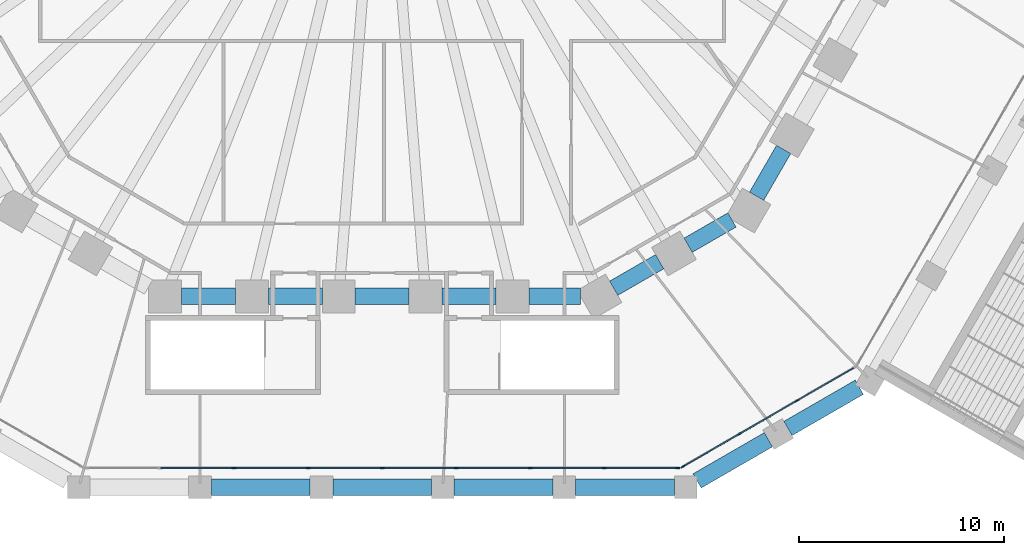
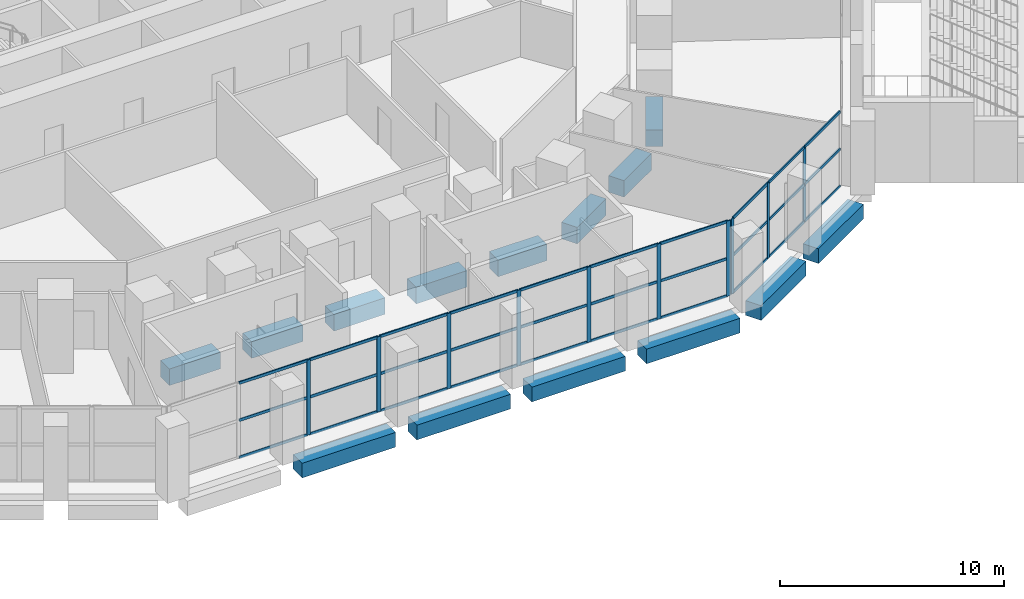
# One storey, part 4 of 38: 40 members, 14 beams, 2 elements without a shape of their own.
"""IFC4 building model written with IfcOpenShell, lengths in metres."""

from ifc_helpers import new_model, si_unit, direction, frame, origin, origin_2d, place, context, subcontext, project, spatial, rectangle, extrude, material, material_profile, profile_set, type_object, element, aggregate, save


model = new_model("IFC4")

# Units and contexts
model_context = context("Model", 3, precision=1e-05, world=origin(), true_north=direction((0.0, 1.0)))
body_context = subcontext(model_context, "Body", "Model", "MODEL_VIEW")
ifc_project = project(units=[si_unit("LENGTHUNIT", "METRE"), si_unit("AREAUNIT", "SQUARE_METRE"), si_unit("VOLUMEUNIT", "CUBIC_METRE"), si_unit("PLANEANGLEUNIT", "RADIAN"), si_unit("MASSUNIT", "GRAM", prefix="KILO")], contexts=[model_context])

# Site, building, storey
site_placement = place(None, origin())
site = spatial("IfcSite", under=ifc_project, at=site_placement, CompositionType="ELEMENT")
building_placement = place(site_placement, origin())
building = spatial("IfcBuilding", under=site, at=building_placement, Name="Frailejon Research Tower", CompositionType="ELEMENT")
storey_placement = place(building_placement, frame((0.0, 0.0, 10.199951171875)))
storey = spatial("IfcBuildingStorey", under=building, at=storey_placement, Name="L02", CompositionType="ELEMENT", Elevation=10.199951171875)

# Beams
ifc_material_1 = material(Name="Concrete C60/75", Category="concrete")
ifc_material_profile_1 = material_profile(ifc_material_1, rectangle(XDim=0.800048828125, YDim=0.800048828125, at=origin_2d()), Name="Base ring beam")
ifc_profile_set_1 = profile_set([ifc_material_profile_1], Name="Concrete C60/75")
beam_type_1 = type_object("IfcBeamType", Name="Base ring beam", PredefinedType="BEAM", material=ifc_profile_set_1)
for number, where, z_axis, x_axis, name in (
    (1, (-8.32080078125, -36.0, -0.75), (1.0, 0.0, 0.0), (0.0, 1.0, 0.0), "Base ring beam"),
    (2, (-2.406982421875, -36.0, -0.75), (1.0, 0.0, 0.0), (0.0, 1.0, 0.0), "Base ring beam"),
    (3, (3.5068359375, -36.0, -0.75), (1.0, 0.0, 0.0), (0.0, 1.0, 0.0), "Base ring beam"),
):
    element("IfcBeam", number, at=place(storey_placement, frame(where, z_axis=z_axis, x_axis=x_axis)), inside=storey, type_object=beam_type_1, Name=name, PredefinedType="BEAM", context=body_context, shape_type="SweptSolid", body=[
        extrude(rectangle(XDim=0.800048828125, YDim=0.800048828125, at=origin_2d()), origin(), (0.0, 0.0, 1.0), 4.81396484375),
    ])
beam_1_placement = place(storey_placement, frame((9.4208984375, -36.0, -0.75), z_axis=(1.0, 0.0, 0.0), x_axis=(0.0, 1.0, 0.0)))
element("IfcBeam", 4, at=beam_1_placement, inside=storey, type_object=beam_type_1, Name="Base ring beam", PredefinedType="BEAM", context=body_context, shape_type="SweptSolid", body=[
    extrude(rectangle(XDim=0.800048828125, YDim=0.800048828125, at=origin_2d()), origin(), (0.0, 0.0, 1.0), 4.813720703125),
])
for number, where, z_axis, x_axis, name in (
    (5, (15.334716796875, -35.6826171875, -0.75), (0.866013269967, 0.500021015799, 0.0), (-0.500021015799, 0.866013269967, 0.0), "Base ring beam"),
    (6, (19.760986328125, -33.126953125, -0.75), (0.866013269967, 0.500021015799, 0.0), (-0.500021015799, 0.866013269967, 0.0), "Base ring beam"),
):
    element("IfcBeam", number, at=place(storey_placement, frame(where, z_axis=z_axis, x_axis=x_axis)), inside=storey, type_object=beam_type_1, Name=name, PredefinedType="BEAM", context=body_context, shape_type="SweptSolid", body=[
        extrude(rectangle(XDim=0.800048828125, YDim=0.800048828125, at=origin_2d()), origin(), (0.0, 0.0, 1.0), 4.010986328125),
    ])
ifc_material_2 = material(Name="Concrete C60/75", Category="concrete")
ifc_material_profile_2 = material_profile(ifc_material_2, rectangle(XDim=0.800048828125, YDim=0.89990234375, at=origin_2d()), Name="Podium ring beam")
ifc_profile_set_2 = profile_set([ifc_material_profile_2], Name="Concrete C60/75")
beam_type_2 = type_object("IfcBeamType", Name="Podium ring beam", PredefinedType="BEAM", material=ifc_profile_set_2)
for number, where, z_axis, x_axis, name in (
    (7, (-9.77978515625, -26.699951171875, -0.800048828125), (1.0, 0.0, 0.0), (0.0, 1.0, 0.0), "Podium ring beam"),
    (8, (-5.5478515625, -26.699951171875, -0.800048828125), (1.0, 0.0, 0.0), (0.0, 1.0, 0.0), "Podium ring beam"),
    (9, (-1.31591796875, -26.699951171875, -0.800048828125), (1.0, 0.0, 0.0), (0.0, 1.0, 0.0), "Podium ring beam"),
    (10, (2.916015625, -26.699951171875, -0.800048828125), (1.0, 0.0, 0.0), (0.0, 1.0, 0.0), "Podium ring beam"),
):
    element("IfcBeam", number, at=place(storey_placement, frame(where, z_axis=z_axis, x_axis=x_axis)), inside=storey, type_object=beam_type_2, Name=name, PredefinedType="BEAM", context=body_context, shape_type="SweptSolid", body=[
        extrude(rectangle(XDim=0.800048828125, YDim=0.89990234375, at=origin_2d()), origin(), (0.0, 0.0, 1.0), 2.6318359375),
    ])
beam_2_placement = place(storey_placement, frame((7.14794921875, -26.699951171875, -0.800048828125), z_axis=(1.0, 0.0, 0.0), x_axis=(0.0, 1.0, 0.0)))
element("IfcBeam", 11, at=beam_2_placement, inside=storey, type_object=beam_type_2, Name="Podium ring beam", PredefinedType="BEAM", context=body_context, shape_type="SweptSolid", body=[
    extrude(rectangle(XDim=0.800048828125, YDim=0.89990234375, at=origin_2d()), origin(), (0.0, 0.0, 1.0), 2.508056640625),
])
beam_3_placement = place(storey_placement, frame((11.272705078125, -26.300048828125, -0.800048828125), z_axis=(0.866004899711, 0.500035512416, 0.0), x_axis=(-0.500035512416, 0.866004899711, 0.0)))
element("IfcBeam", 12, at=beam_3_placement, inside=storey, type_object=beam_type_2, Name="Podium ring beam", PredefinedType="BEAM", context=body_context, shape_type="SweptSolid", body=[
    extrude(rectangle(XDim=0.800048828125, YDim=0.89990234375, at=origin_2d()), origin(), (0.0, 0.0, 1.0), 2.587646484375),
])
beam_4_placement = place(storey_placement, frame((14.899169921875, -24.206298828125, -0.800048828125), z_axis=(0.86602717807, 0.499996926835, 0.0), x_axis=(-0.499996926835, 0.86602717807, 0.0)))
element("IfcBeam", 13, at=beam_4_placement, inside=storey, type_object=beam_type_2, Name="Podium ring beam", PredefinedType="BEAM", context=body_context, shape_type="SweptSolid", body=[
    extrude(rectangle(XDim=0.800048828125, YDim=0.89990234375, at=origin_2d()), origin(), (0.0, 0.0, 1.0), 2.4638671875),
])
beam_5_placement = place(storey_placement, frame((18.23291015625, -21.819580078125, -0.800048828125), z_axis=(0.499990112884, 0.866031112038, 0.0), x_axis=(-0.866031112038, 0.499990112884, 0.0)))
element("IfcBeam", 14, at=beam_5_placement, inside=storey, type_object=beam_type_2, Name="Podium ring beam", PredefinedType="BEAM", context=body_context, shape_type="SweptSolid", body=[
    extrude(rectangle(XDim=0.800048828125, YDim=0.89990234375, at=origin_2d()), origin(), (0.0, 0.0, 1.0), 2.6318359375),
])

# Curtain wall, members
ifc_material_3 = material(Name="Aluminium curtain wall", Category="aluminium")
curtain_wall_type = type_object("IfcCurtainWallType", Name="Podium stick curtain wall system", PredefinedType="NOTDEFINED", material=ifc_material_3)
curtain_wall_1_placement = place(storey_placement, origin())
curtain_wall_1 = element("IfcCurtainWall", 15, at=curtain_wall_1_placement, inside=storey, type_object=curtain_wall_type, Name="Curtain wall L02", PredefinedType="NOTDEFINED")
ifc_material_4 = material(Name="Aluminium extrusion", Category="aluminium")
ifc_material_profile_3 = material_profile(ifc_material_4, rectangle(XDim=0.06005859375, YDim=0.199951171875, at=origin_2d()), Name="Podium stick curtain wall mullion 60x200")
ifc_profile_set_3 = profile_set([ifc_material_profile_3], Name="Aluminium extrusion")
member_type_1 = type_object("IfcMemberType", Name="Podium stick curtain wall mullion 60x200", PredefinedType="MULLION", material=ifc_profile_set_3)
member_1_placement = place(storey_placement, frame((-7.215087890625, -35.050048828125, 0.0), z_axis=(0.0, 0.0, 1.0), x_axis=(0.0, 1.0, 0.0)))
member_1 = element("IfcMember", 16, at=member_1_placement, type_object=member_type_1, Name="CW2-042 mullion 3", PredefinedType="MULLION", context=body_context, shape_type="SweptSolid", body=[
    extrude(rectangle(XDim=0.06005859375, YDim=0.199951171875, at=origin_2d()), origin(), (0.0, 0.0, 1.0), 4.10009765625),
])
member_2_placement = place(storey_placement, frame((-3.607421875, -35.050048828125, 0.0), z_axis=(0.0, 0.0, 1.0), x_axis=(0.0, 1.0, 0.0)))
member_2 = element("IfcMember", 17, at=member_2_placement, type_object=member_type_1, Name="CW2-042 mullion 4", PredefinedType="MULLION", context=body_context, shape_type="SweptSolid", body=[
    extrude(rectangle(XDim=0.06005859375, YDim=0.199951171875, at=origin_2d()), origin(), (0.0, 0.0, 1.0), 4.10009765625),
])
member_3_placement = place(storey_placement, frame((0.0, -35.050048828125, 0.0), z_axis=(0.0, 0.0, 1.0), x_axis=(0.0, 1.0, 0.0)))
member_3 = element("IfcMember", 18, at=member_3_placement, type_object=member_type_1, Name="CW2-042 mullion 5", PredefinedType="MULLION", context=body_context, shape_type="SweptSolid", body=[
    extrude(rectangle(XDim=0.06005859375, YDim=0.199951171875, at=origin_2d()), origin(), (0.0, 0.0, 1.0), 4.10009765625),
])
member_4_placement = place(storey_placement, frame((3.607421875, -35.050048828125, 0.0), z_axis=(0.0, 0.0, 1.0), x_axis=(0.0, 1.0, 0.0)))
member_4 = element("IfcMember", 19, at=member_4_placement, type_object=member_type_1, Name="CW2-042 mullion 6", PredefinedType="MULLION", context=body_context, shape_type="SweptSolid", body=[
    extrude(rectangle(XDim=0.06005859375, YDim=0.199951171875, at=origin_2d()), origin(), (0.0, 0.0, 1.0), 4.10009765625),
])
member_5_placement = place(storey_placement, frame((7.215087890625, -35.050048828125, 0.0), z_axis=(0.0, 0.0, 1.0), x_axis=(0.0, 1.0, 0.0)))
member_5 = element("IfcMember", 20, at=member_5_placement, type_object=member_type_1, Name="CW2-042 mullion 7", PredefinedType="MULLION", context=body_context, shape_type="SweptSolid", body=[
    extrude(rectangle(XDim=0.06005859375, YDim=0.199951171875, at=origin_2d()), origin(), (0.0, 0.0, 1.0), 4.10009765625),
])
member_6_placement = place(storey_placement, frame((10.822509765625, -35.050048828125, 0.0), z_axis=(0.0, 0.0, 1.0), x_axis=(0.0, 1.0, 0.0)))
member_6 = element("IfcMember", 21, at=member_6_placement, type_object=member_type_1, Name="CW2-042 mullion 8", PredefinedType="MULLION", context=body_context, shape_type="SweptSolid", body=[
    extrude(rectangle(XDim=0.06005859375, YDim=0.199951171875, at=origin_2d()), origin(), (0.0, 0.0, 1.0), 4.10009765625),
])
member_7_placement = place(storey_placement, frame((14.400146484375, -35.050048828125, 0.0), z_axis=(0.0, 0.0, 1.0), x_axis=(0.0, 1.0, 0.0)))
member_7 = element("IfcMember", 22, at=member_7_placement, type_object=member_type_1, Name="CW2-042 mullion 9", PredefinedType="MULLION", context=body_context, shape_type="SweptSolid", body=[
    extrude(rectangle(XDim=0.06005859375, YDim=0.199951171875, at=origin_2d()), origin(), (0.0, 0.0, 1.0), 4.10009765625),
])

curtain_wall_2_placement = place(storey_placement, origin())
curtain_wall_2 = element("IfcCurtainWall", 23, at=curtain_wall_2_placement, inside=storey, type_object=curtain_wall_type, Name="Curtain wall L02", PredefinedType="NOTDEFINED")
member_8_placement = place(storey_placement, frame((14.642578125, -34.985107421875, 0.0), z_axis=(0.0, 0.0, 1.0), x_axis=(-0.499999874334, 0.866025476338, 0.0)))
member_8 = element("IfcMember", 24, at=member_8_placement, type_object=member_type_1, Name="CW2-043 mullion 1", PredefinedType="MULLION", context=body_context, shape_type="SweptSolid", body=[
    extrude(rectangle(XDim=0.06005859375, YDim=0.199951171875, at=origin_2d()), origin(), (0.0, 0.0, 1.0), 4.10009765625),
])
member_9_placement = place(storey_placement, frame((17.412109375, -33.38623046875, 0.0), z_axis=(0.0, 0.0, 1.0), x_axis=(-0.499999874334, 0.866025476338, 0.0)))
member_9 = element("IfcMember", 25, at=member_9_placement, type_object=member_type_1, Name="CW2-043 mullion 2", PredefinedType="MULLION", context=body_context, shape_type="SweptSolid", body=[
    extrude(rectangle(XDim=0.06005859375, YDim=0.199951171875, at=origin_2d()), origin(), (0.0, 0.0, 1.0), 4.10009765625),
])
member_10_placement = place(storey_placement, frame((20.207275390625, -31.772216796875, 0.0), z_axis=(0.0, 0.0, 1.0), x_axis=(-0.499999874334, 0.866025476338, 0.0)))
member_10 = element("IfcMember", 26, at=member_10_placement, type_object=member_type_1, Name="CW2-043 mullion 3", PredefinedType="MULLION", context=body_context, shape_type="SweptSolid", body=[
    extrude(rectangle(XDim=0.06005859375, YDim=0.199951171875, at=origin_2d()), origin(), (0.0, 0.0, 1.0), 4.10009765625),
])

# Member
ifc_material_5 = material(Name="Aluminium extrusion", Category="aluminium")
ifc_material_profile_4 = material_profile(ifc_material_5, rectangle(XDim=0.06005859375, YDim=0.14990234375, at=origin_2d()), Name="Podium stick curtain wall transom 60x150")
ifc_profile_set_4 = profile_set([ifc_material_profile_4], Name="Aluminium extrusion")
member_type_2 = type_object("IfcMemberType", Name="Podium stick curtain wall transom 60x150", PredefinedType="USERDEFINED", material=ifc_profile_set_4)
member_11_placement = place(storey_placement, frame((-10.79248046875, -35.050048828125, 0.030029296875), z_axis=(1.0, 0.0, 0.0), x_axis=(0.0, 1.0, 0.0)))
member_11 = element("IfcMember", 27, at=member_11_placement, type_object=member_type_2, Name="CW2-042 transom 2.1", ObjectType="TRANSOM", PredefinedType="USERDEFINED", context=body_context, shape_type="SweptSolid", body=[
    extrude(rectangle(XDim=0.06005859375, YDim=0.14990234375, at=origin_2d()), origin(), (0.0, 0.0, 1.0), 3.54736328125),
])

member_12_placement = place(storey_placement, frame((-10.79248046875, -35.050048828125, 2.050048828125), z_axis=(1.0, 0.0, 0.0), x_axis=(0.0, 1.0, 0.0)))
member_12 = element("IfcMember", 28, at=member_12_placement, type_object=member_type_2, Name="CW2-042 transom 2.2", ObjectType="TRANSOM", PredefinedType="USERDEFINED", context=body_context, shape_type="SweptSolid", body=[
    extrude(rectangle(XDim=0.06005859375, YDim=0.14990234375, at=origin_2d()), origin(), (0.0, 0.0, 1.0), 3.54736328125),
])

member_13_placement = place(storey_placement, frame((-10.79248046875, -35.050048828125, 4.070068359375), z_axis=(1.0, 0.0, 0.0), x_axis=(0.0, 1.0, 0.0)))
member_13 = element("IfcMember", 29, at=member_13_placement, type_object=member_type_2, Name="CW2-042 transom 2.3", ObjectType="TRANSOM", PredefinedType="USERDEFINED", context=body_context, shape_type="SweptSolid", body=[
    extrude(rectangle(XDim=0.06005859375, YDim=0.14990234375, at=origin_2d()), origin(), (0.0, 0.0, 1.0), 3.54736328125),
])

member_14_placement = place(storey_placement, frame((-7.18505859375, -35.050048828125, 0.030029296875), z_axis=(1.0, 0.0, 0.0), x_axis=(0.0, 1.0, 0.0)))
member_14 = element("IfcMember", 30, at=member_14_placement, type_object=member_type_2, Name="CW2-042 transom 3.1", ObjectType="TRANSOM", PredefinedType="USERDEFINED", context=body_context, shape_type="SweptSolid", body=[
    extrude(rectangle(XDim=0.06005859375, YDim=0.14990234375, at=origin_2d()), origin(), (0.0, 0.0, 1.0), 3.547607421875),
])

member_15_placement = place(storey_placement, frame((-7.18505859375, -35.050048828125, 2.050048828125), z_axis=(1.0, 0.0, 0.0), x_axis=(0.0, 1.0, 0.0)))
member_15 = element("IfcMember", 31, at=member_15_placement, type_object=member_type_2, Name="CW2-042 transom 3.2", ObjectType="TRANSOM", PredefinedType="USERDEFINED", context=body_context, shape_type="SweptSolid", body=[
    extrude(rectangle(XDim=0.06005859375, YDim=0.14990234375, at=origin_2d()), origin(), (0.0, 0.0, 1.0), 3.547607421875),
])

member_16_placement = place(storey_placement, frame((-7.18505859375, -35.050048828125, 4.070068359375), z_axis=(1.0, 0.0, 0.0), x_axis=(0.0, 1.0, 0.0)))
member_16 = element("IfcMember", 32, at=member_16_placement, type_object=member_type_2, Name="CW2-042 transom 3.3", ObjectType="TRANSOM", PredefinedType="USERDEFINED", context=body_context, shape_type="SweptSolid", body=[
    extrude(rectangle(XDim=0.06005859375, YDim=0.14990234375, at=origin_2d()), origin(), (0.0, 0.0, 1.0), 3.547607421875),
])

member_17_placement = place(storey_placement, frame((-3.57763671875, -35.050048828125, 0.030029296875), z_axis=(1.0, 0.0, 0.0), x_axis=(0.0, 1.0, 0.0)))
member_17 = element("IfcMember", 33, at=member_17_placement, type_object=member_type_2, Name="CW2-042 transom 4.1", ObjectType="TRANSOM", PredefinedType="USERDEFINED", context=body_context, shape_type="SweptSolid", body=[
    extrude(rectangle(XDim=0.06005859375, YDim=0.14990234375, at=origin_2d()), origin(), (0.0, 0.0, 1.0), 3.547607421875),
])

member_18_placement = place(storey_placement, frame((-3.57763671875, -35.050048828125, 2.050048828125), z_axis=(1.0, 0.0, 0.0), x_axis=(0.0, 1.0, 0.0)))
member_18 = element("IfcMember", 34, at=member_18_placement, type_object=member_type_2, Name="CW2-042 transom 4.2", ObjectType="TRANSOM", PredefinedType="USERDEFINED", context=body_context, shape_type="SweptSolid", body=[
    extrude(rectangle(XDim=0.06005859375, YDim=0.14990234375, at=origin_2d()), origin(), (0.0, 0.0, 1.0), 3.547607421875),
])

member_19_placement = place(storey_placement, frame((-3.57763671875, -35.050048828125, 4.070068359375), z_axis=(1.0, 0.0, 0.0), x_axis=(0.0, 1.0, 0.0)))
member_19 = element("IfcMember", 35, at=member_19_placement, type_object=member_type_2, Name="CW2-042 transom 4.3", ObjectType="TRANSOM", PredefinedType="USERDEFINED", context=body_context, shape_type="SweptSolid", body=[
    extrude(rectangle(XDim=0.06005859375, YDim=0.14990234375, at=origin_2d()), origin(), (0.0, 0.0, 1.0), 3.547607421875),
])

member_20_placement = place(storey_placement, frame((0.030029296875, -35.050048828125, 0.030029296875), z_axis=(1.0, 0.0, 0.0), x_axis=(0.0, 1.0, 0.0)))
member_20 = element("IfcMember", 36, at=member_20_placement, type_object=member_type_2, Name="CW2-042 transom 5.1", ObjectType="TRANSOM", PredefinedType="USERDEFINED", context=body_context, shape_type="SweptSolid", body=[
    extrude(rectangle(XDim=0.06005859375, YDim=0.14990234375, at=origin_2d()), origin(), (0.0, 0.0, 1.0), 3.547607421875),
])

member_21_placement = place(storey_placement, frame((0.030029296875, -35.050048828125, 2.050048828125), z_axis=(1.0, 0.0, 0.0), x_axis=(0.0, 1.0, 0.0)))
member_21 = element("IfcMember", 37, at=member_21_placement, type_object=member_type_2, Name="CW2-042 transom 5.2", ObjectType="TRANSOM", PredefinedType="USERDEFINED", context=body_context, shape_type="SweptSolid", body=[
    extrude(rectangle(XDim=0.06005859375, YDim=0.14990234375, at=origin_2d()), origin(), (0.0, 0.0, 1.0), 3.547607421875),
])

member_22_placement = place(storey_placement, frame((0.030029296875, -35.050048828125, 4.070068359375), z_axis=(1.0, 0.0, 0.0), x_axis=(0.0, 1.0, 0.0)))
member_22 = element("IfcMember", 38, at=member_22_placement, type_object=member_type_2, Name="CW2-042 transom 5.3", ObjectType="TRANSOM", PredefinedType="USERDEFINED", context=body_context, shape_type="SweptSolid", body=[
    extrude(rectangle(XDim=0.06005859375, YDim=0.14990234375, at=origin_2d()), origin(), (0.0, 0.0, 1.0), 3.547607421875),
])

member_23_placement = place(storey_placement, frame((3.637451171875, -35.050048828125, 0.030029296875), z_axis=(1.0, 0.0, 0.0), x_axis=(0.0, 1.0, 0.0)))
member_23 = element("IfcMember", 39, at=member_23_placement, type_object=member_type_2, Name="CW2-042 transom 6.1", ObjectType="TRANSOM", PredefinedType="USERDEFINED", context=body_context, shape_type="SweptSolid", body=[
    extrude(rectangle(XDim=0.06005859375, YDim=0.14990234375, at=origin_2d()), origin(), (0.0, 0.0, 1.0), 3.547607421875),
])

member_24_placement = place(storey_placement, frame((3.637451171875, -35.050048828125, 2.050048828125), z_axis=(1.0, 0.0, 0.0), x_axis=(0.0, 1.0, 0.0)))
member_24 = element("IfcMember", 40, at=member_24_placement, type_object=member_type_2, Name="CW2-042 transom 6.2", ObjectType="TRANSOM", PredefinedType="USERDEFINED", context=body_context, shape_type="SweptSolid", body=[
    extrude(rectangle(XDim=0.06005859375, YDim=0.14990234375, at=origin_2d()), origin(), (0.0, 0.0, 1.0), 3.547607421875),
])

member_25_placement = place(storey_placement, frame((3.637451171875, -35.050048828125, 4.070068359375), z_axis=(1.0, 0.0, 0.0), x_axis=(0.0, 1.0, 0.0)))
member_25 = element("IfcMember", 41, at=member_25_placement, type_object=member_type_2, Name="CW2-042 transom 6.3", ObjectType="TRANSOM", PredefinedType="USERDEFINED", context=body_context, shape_type="SweptSolid", body=[
    extrude(rectangle(XDim=0.06005859375, YDim=0.14990234375, at=origin_2d()), origin(), (0.0, 0.0, 1.0), 3.547607421875),
])

member_26_placement = place(storey_placement, frame((7.2451171875, -35.050048828125, 0.030029296875), z_axis=(1.0, 0.0, 0.0), x_axis=(0.0, 1.0, 0.0)))
member_26 = element("IfcMember", 42, at=member_26_placement, type_object=member_type_2, Name="CW2-042 transom 7.1", ObjectType="TRANSOM", PredefinedType="USERDEFINED", context=body_context, shape_type="SweptSolid", body=[
    extrude(rectangle(XDim=0.06005859375, YDim=0.14990234375, at=origin_2d()), origin(), (0.0, 0.0, 1.0), 3.54736328125),
])

member_27_placement = place(storey_placement, frame((7.2451171875, -35.050048828125, 2.050048828125), z_axis=(1.0, 0.0, 0.0), x_axis=(0.0, 1.0, 0.0)))
member_27 = element("IfcMember", 43, at=member_27_placement, type_object=member_type_2, Name="CW2-042 transom 7.2", ObjectType="TRANSOM", PredefinedType="USERDEFINED", context=body_context, shape_type="SweptSolid", body=[
    extrude(rectangle(XDim=0.06005859375, YDim=0.14990234375, at=origin_2d()), origin(), (0.0, 0.0, 1.0), 3.54736328125),
])

member_28_placement = place(storey_placement, frame((7.2451171875, -35.050048828125, 4.070068359375), z_axis=(1.0, 0.0, 0.0), x_axis=(0.0, 1.0, 0.0)))
member_28 = element("IfcMember", 44, at=member_28_placement, type_object=member_type_2, Name="CW2-042 transom 7.3", ObjectType="TRANSOM", PredefinedType="USERDEFINED", context=body_context, shape_type="SweptSolid", body=[
    extrude(rectangle(XDim=0.06005859375, YDim=0.14990234375, at=origin_2d()), origin(), (0.0, 0.0, 1.0), 3.54736328125),
])

member_29_placement = place(storey_placement, frame((10.8525390625, -35.050048828125, 0.030029296875), z_axis=(1.0, 0.0, 0.0), x_axis=(0.0, 1.0, 0.0)))
member_29 = element("IfcMember", 45, at=member_29_placement, type_object=member_type_2, Name="CW2-042 transom 8.1", ObjectType="TRANSOM", PredefinedType="USERDEFINED", context=body_context, shape_type="SweptSolid", body=[
    extrude(rectangle(XDim=0.06005859375, YDim=0.14990234375, at=origin_2d()), origin(), (0.0, 0.0, 1.0), 3.517578125),
])

member_30_placement = place(storey_placement, frame((10.8525390625, -35.050048828125, 2.050048828125), z_axis=(1.0, 0.0, 0.0), x_axis=(0.0, 1.0, 0.0)))
member_30 = element("IfcMember", 46, at=member_30_placement, type_object=member_type_2, Name="CW2-042 transom 8.2", ObjectType="TRANSOM", PredefinedType="USERDEFINED", context=body_context, shape_type="SweptSolid", body=[
    extrude(rectangle(XDim=0.06005859375, YDim=0.14990234375, at=origin_2d()), origin(), (0.0, 0.0, 1.0), 3.517578125),
])

member_31_placement = place(storey_placement, frame((10.8525390625, -35.050048828125, 4.070068359375), z_axis=(1.0, 0.0, 0.0), x_axis=(0.0, 1.0, 0.0)))
member_31 = element("IfcMember", 47, at=member_31_placement, type_object=member_type_2, Name="CW2-042 transom 8.3", ObjectType="TRANSOM", PredefinedType="USERDEFINED", context=body_context, shape_type="SweptSolid", body=[
    extrude(rectangle(XDim=0.06005859375, YDim=0.14990234375, at=origin_2d()), origin(), (0.0, 0.0, 1.0), 3.517578125),
])

aggregate(curtain_wall_1, [member_1, member_2, member_3, member_4, member_5, member_6, member_7, member_11, member_12, member_13, member_14, member_15, member_16, member_17, member_18, member_19, member_20, member_21, member_22, member_23, member_24, member_25, member_26, member_27, member_28, member_29, member_30, member_31])

member_32_placement = place(storey_placement, frame((14.668701171875, -34.969970703125, 0.030029296875), z_axis=(0.866022320763, 0.500005339912, 0.0), x_axis=(-0.500005339912, 0.866022320763, 0.0)))
member_32 = element("IfcMember", 48, at=member_32_placement, type_object=member_type_2, Name="CW2-043 transom 1.1", ObjectType="TRANSOM", PredefinedType="USERDEFINED", context=body_context, shape_type="SweptSolid", body=[
    extrude(rectangle(XDim=0.06005859375, YDim=0.14990234375, at=origin_2d()), origin(), (0.0, 0.0, 1.0), 3.1376953125),
])

member_33_placement = place(storey_placement, frame((14.668701171875, -34.969970703125, 2.050048828125), z_axis=(0.866022320763, 0.500005339912, 0.0), x_axis=(-0.500005339912, 0.866022320763, 0.0)))
member_33 = element("IfcMember", 49, at=member_33_placement, type_object=member_type_2, Name="CW2-043 transom 1.2", ObjectType="TRANSOM", PredefinedType="USERDEFINED", context=body_context, shape_type="SweptSolid", body=[
    extrude(rectangle(XDim=0.06005859375, YDim=0.14990234375, at=origin_2d()), origin(), (0.0, 0.0, 1.0), 3.1376953125),
])

member_34_placement = place(storey_placement, frame((14.668701171875, -34.969970703125, 4.070068359375), z_axis=(0.866022320763, 0.500005339912, 0.0), x_axis=(-0.500005339912, 0.866022320763, 0.0)))
member_34 = element("IfcMember", 50, at=member_34_placement, type_object=member_type_2, Name="CW2-043 transom 1.3", ObjectType="TRANSOM", PredefinedType="USERDEFINED", context=body_context, shape_type="SweptSolid", body=[
    extrude(rectangle(XDim=0.06005859375, YDim=0.14990234375, at=origin_2d()), origin(), (0.0, 0.0, 1.0), 3.1376953125),
])

member_35_placement = place(storey_placement, frame((17.43798828125, -33.37109375, 0.030029296875), z_axis=(0.866048262394, 0.499960405637, 0.0), x_axis=(-0.499960405637, 0.866048262394, 0.0)))
member_35 = element("IfcMember", 51, at=member_35_placement, type_object=member_type_2, Name="CW2-043 transom 2.1", ObjectType="TRANSOM", PredefinedType="USERDEFINED", context=body_context, shape_type="SweptSolid", body=[
    extrude(rectangle(XDim=0.06005859375, YDim=0.14990234375, at=origin_2d()), origin(), (0.0, 0.0, 1.0), 3.167724609375),
])

member_36_placement = place(storey_placement, frame((17.43798828125, -33.37109375, 2.050048828125), z_axis=(0.866048262394, 0.499960405637, 0.0), x_axis=(-0.499960405637, 0.866048262394, 0.0)))
member_36 = element("IfcMember", 52, at=member_36_placement, type_object=member_type_2, Name="CW2-043 transom 2.2", ObjectType="TRANSOM", PredefinedType="USERDEFINED", context=body_context, shape_type="SweptSolid", body=[
    extrude(rectangle(XDim=0.06005859375, YDim=0.14990234375, at=origin_2d()), origin(), (0.0, 0.0, 1.0), 3.167724609375),
])

member_37_placement = place(storey_placement, frame((17.43798828125, -33.37109375, 4.070068359375), z_axis=(0.866048262394, 0.499960405637, 0.0), x_axis=(-0.499960405637, 0.866048262394, 0.0)))
member_37 = element("IfcMember", 53, at=member_37_placement, type_object=member_type_2, Name="CW2-043 transom 2.3", ObjectType="TRANSOM", PredefinedType="USERDEFINED", context=body_context, shape_type="SweptSolid", body=[
    extrude(rectangle(XDim=0.06005859375, YDim=0.14990234375, at=origin_2d()), origin(), (0.0, 0.0, 1.0), 3.167724609375),
])

member_38_placement = place(storey_placement, frame((20.2333984375, -31.75732421875, 0.030029296875), z_axis=(0.866022320763, 0.500005339912, 0.0), x_axis=(-0.500005339912, 0.866022320763, 0.0)))
member_38 = element("IfcMember", 54, at=member_38_placement, type_object=member_type_2, Name="CW2-043 transom 3.1", ObjectType="TRANSOM", PredefinedType="USERDEFINED", context=body_context, shape_type="SweptSolid", body=[
    extrude(rectangle(XDim=0.06005859375, YDim=0.14990234375, at=origin_2d()), origin(), (0.0, 0.0, 1.0), 3.1376953125),
])

member_39_placement = place(storey_placement, frame((20.2333984375, -31.75732421875, 2.050048828125), z_axis=(0.866022320763, 0.500005339912, 0.0), x_axis=(-0.500005339912, 0.866022320763, 0.0)))
member_39 = element("IfcMember", 55, at=member_39_placement, type_object=member_type_2, Name="CW2-043 transom 3.2", ObjectType="TRANSOM", PredefinedType="USERDEFINED", context=body_context, shape_type="SweptSolid", body=[
    extrude(rectangle(XDim=0.06005859375, YDim=0.14990234375, at=origin_2d()), origin(), (0.0, 0.0, 1.0), 3.1376953125),
])

member_40_placement = place(storey_placement, frame((20.2333984375, -31.75732421875, 4.070068359375), z_axis=(0.866022320763, 0.500005339912, 0.0), x_axis=(-0.500005339912, 0.866022320763, 0.0)))
member_40 = element("IfcMember", 56, at=member_40_placement, type_object=member_type_2, Name="CW2-043 transom 3.3", ObjectType="TRANSOM", PredefinedType="USERDEFINED", context=body_context, shape_type="SweptSolid", body=[
    extrude(rectangle(XDim=0.06005859375, YDim=0.14990234375, at=origin_2d()), origin(), (0.0, 0.0, 1.0), 3.1376953125),
])

aggregate(curtain_wall_2, [member_8, member_9, member_10, member_32, member_33, member_34, member_35, member_36, member_37, member_38, member_39, member_40])

save(model, "model.ifc")
